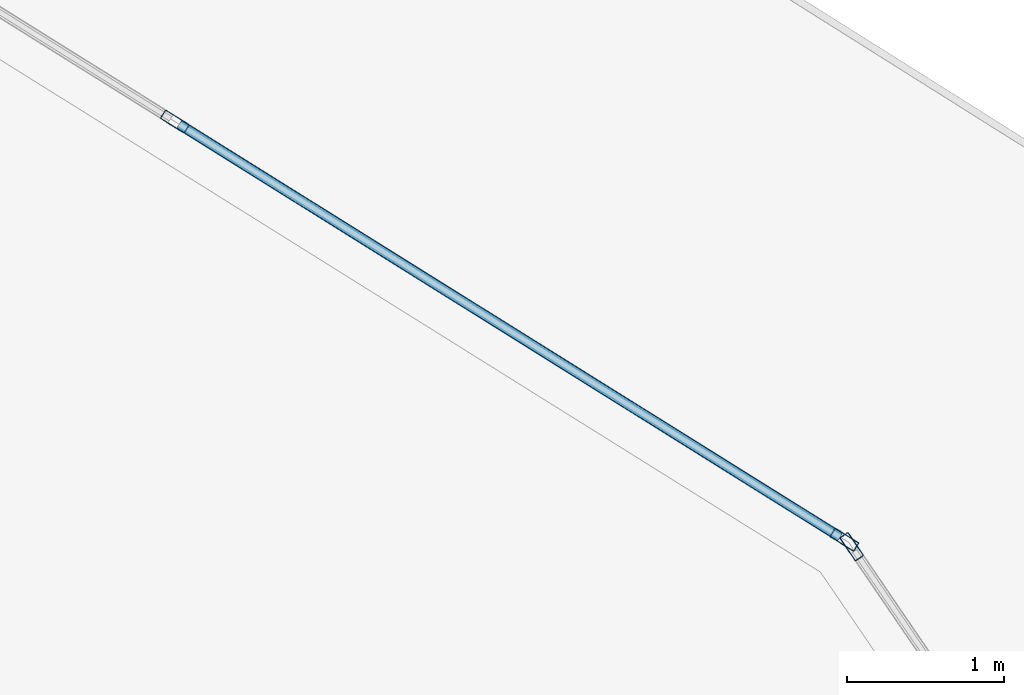
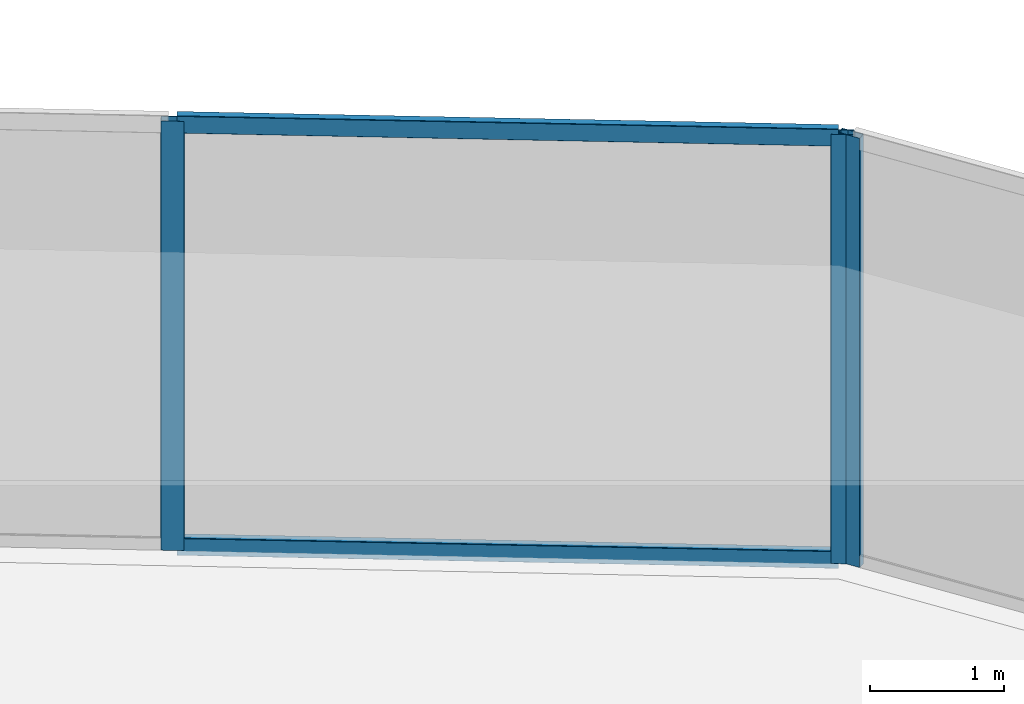
# One storey, part 22 of 43: 5 members, 2 elements without a shape of their own.
"""IFC4 building model written with IfcOpenShell, lengths in metres."""

from ifc_helpers import new_model, si_unit, direction, frame, origin, origin_2d, place, context, subcontext, project, spatial, hollow_rectangle, extrude, material, layer, layer_set, material_profile, profile_set, type_object, element, aggregate, save


model = new_model("IFC4")

# Units and contexts
model_context = context("Model", 3, precision=1e-05, world=origin(), true_north=direction((0.0, 1.0)))
body_context = subcontext(model_context, "Body", "Model", "MODEL_VIEW")
ifc_project = project(units=[si_unit("LENGTHUNIT", "METRE"), si_unit("AREAUNIT", "SQUARE_METRE"), si_unit("VOLUMEUNIT", "CUBIC_METRE"), si_unit("PLANEANGLEUNIT", "RADIAN"), si_unit("MASSUNIT", "GRAM", prefix="KILO")], contexts=[model_context])

# Site, building, storey
site_placement = place(None, origin())
site = spatial("IfcSite", under=ifc_project, at=site_placement, CompositionType="ELEMENT")
building_placement = place(site_placement, origin())
building = spatial("IfcBuilding", under=site, at=building_placement, Name="Qorvath Tower", CompositionType="ELEMENT")
storey_placement = place(building_placement, frame((0.0, 0.0, 36.60009765625)))
storey = spatial("IfcBuildingStorey", under=building, at=storey_placement, Name="L07", CompositionType="ELEMENT", Elevation=36.60009765625)

# Curtain wall, member
ifc_material_1 = material(Name="Anodised aluminium and triple low-E glass", Category="aluminium")
ifc_layer = layer(ifc_material_1, 0.179931640625)
ifc_layer_set = layer_set([ifc_layer], Name="CW-SYS-2")
curtain_wall_type = type_object("IfcCurtainWallType", Name="CW-SYS-2", PredefinedType="NOTDEFINED", material=ifc_layer_set)
curtain_wall_1_placement = place(storey_placement, origin())
curtain_wall_1 = element("IfcCurtainWall", 1, at=curtain_wall_1_placement, inside=storey, type_object=curtain_wall_type, Name="Curtain Wall CW-2 CW-T-L07-13.1", PredefinedType="NOTDEFINED")
ifc_material_2 = material(Name="Anodised aluminium 6063-T6", Category="aluminium")
ifc_material_profile_1 = material_profile(ifc_material_2, hollow_rectangle(XDim=0.06494140625, YDim=0.179931640625, WallThickness=0.00341796875, InnerFilletRadius=0.00341796875, OuterFilletRadius=0.007080078125, at=origin_2d()), Name="CWM 180x65")
ifc_profile_set_1 = profile_set([ifc_material_profile_1], Name="Anodised aluminium 6063-T6")
member_type_1 = type_object("IfcMemberType", Name="CWM-180", PredefinedType="MULLION", material=ifc_profile_set_1)
member_1_placement = place(storey_placement, frame((-1.372802734375, 25.9169921875, 0.0), z_axis=(0.0, 0.0, 1.0), x_axis=(-0.825864059494, -0.563869271406, 0.0)))
member_1 = element("IfcMember", 2, at=member_1_placement, type_object=member_type_1, Name="CW-2 mullion 2", PredefinedType="MULLION", context=body_context, shape_type="SweptSolid", body=[
    extrude(hollow_rectangle(XDim=0.06494140625, YDim=0.179931640625, WallThickness=0.00341796875, InnerFilletRadius=0.00341796875, OuterFilletRadius=0.007080078125, at=origin_2d()), origin(), (0.0, 0.0, 1.0), 3.919921875),
])
aggregate(curtain_wall_1, [member_1])

# Curtain wall, members
curtain_wall_2_placement = place(storey_placement, origin())
curtain_wall_2 = element("IfcCurtainWall", 3, at=curtain_wall_2_placement, inside=storey, type_object=curtain_wall_type, Name="Curtain Wall CW-2 CW-T-L07-14.1", PredefinedType="NOTDEFINED")
member_2_placement = place(storey_placement, frame((-1.418701171875, 25.9609375, 0.0), z_axis=(0.0, 0.0, 1.0), x_axis=(-0.529769187701, -0.848141855919, 0.0)))
member_2 = element("IfcMember", 4, at=member_2_placement, type_object=member_type_1, Name="CW-2 mullion 1", PredefinedType="MULLION", context=body_context, shape_type="SweptSolid", body=[
    extrude(hollow_rectangle(XDim=0.06494140625, YDim=0.179931640625, WallThickness=0.00341796875, InnerFilletRadius=0.00341796875, OuterFilletRadius=0.007080078125, at=origin_2d()), origin(), (0.0, 0.0, 1.0), 3.919921875),
])
member_3_placement = place(storey_placement, frame((-5.672119140625, 28.61767578125, 0.0), z_axis=(0.0, 0.0, 1.0), x_axis=(-0.529769187701, -0.848141855919, 0.0)))
member_3 = element("IfcMember", 5, at=member_3_placement, type_object=member_type_1, Name="CW-2 mullion 2", PredefinedType="MULLION", context=body_context, shape_type="SweptSolid", body=[
    extrude(hollow_rectangle(XDim=0.06494140625, YDim=0.179931640625, WallThickness=0.00341796875, InnerFilletRadius=0.00341796875, OuterFilletRadius=0.007080078125, at=origin_2d()), origin(), (0.0, 0.0, 1.0), 3.919921875),
])
ifc_material_3 = material(Name="Anodised aluminium 6063-T6", Category="aluminium")
ifc_material_profile_2 = material_profile(ifc_material_3, hollow_rectangle(XDim=0.06494140625, YDim=0.159912109375, WallThickness=0.00341796875, InnerFilletRadius=0.00341796875, OuterFilletRadius=0.007080078125, at=origin_2d()), Name="CWT 160x65")
ifc_profile_set_2 = profile_set([ifc_material_profile_2], Name="Anodised aluminium 6063-T6")
member_type_2 = type_object("IfcMemberType", Name="CWT-160", PredefinedType="USERDEFINED", material=ifc_profile_set_2)
member_4_placement = place(storey_placement, frame((-1.4462890625, 25.978271484375, 0.032470703125), z_axis=(-0.848142359621, 0.529768381292, 0.0), x_axis=(-0.529768381292, -0.848142359621, 0.0)))
member_4 = element("IfcMember", 6, at=member_4_placement, type_object=member_type_2, Name="CW-2 transom 1.1", ObjectType="TRANSOM", PredefinedType="USERDEFINED", context=body_context, shape_type="SweptSolid", body=[
    extrude(hollow_rectangle(XDim=0.06494140625, YDim=0.159912109375, WallThickness=0.00341796875, InnerFilletRadius=0.00341796875, OuterFilletRadius=0.007080078125, at=origin_2d()), origin(), (0.0, 0.0, 1.0), 4.949951171875),
])
member_5_placement = place(storey_placement, frame((-1.4462890625, 25.978271484375, 3.887451171875), z_axis=(-0.848142359621, 0.529768381292, 0.0), x_axis=(-0.529768381292, -0.848142359621, 0.0)))
member_5 = element("IfcMember", 7, at=member_5_placement, type_object=member_type_2, Name="CW-2 transom 1.2", ObjectType="TRANSOM", PredefinedType="USERDEFINED", context=body_context, shape_type="SweptSolid", body=[
    extrude(hollow_rectangle(XDim=0.06494140625, YDim=0.159912109375, WallThickness=0.00341796875, InnerFilletRadius=0.00341796875, OuterFilletRadius=0.007080078125, at=origin_2d()), origin(), (0.0, 0.0, 1.0), 4.949951171875),
])
aggregate(curtain_wall_2, [member_2, member_3, member_4, member_5])

save(model, "model.ifc")
